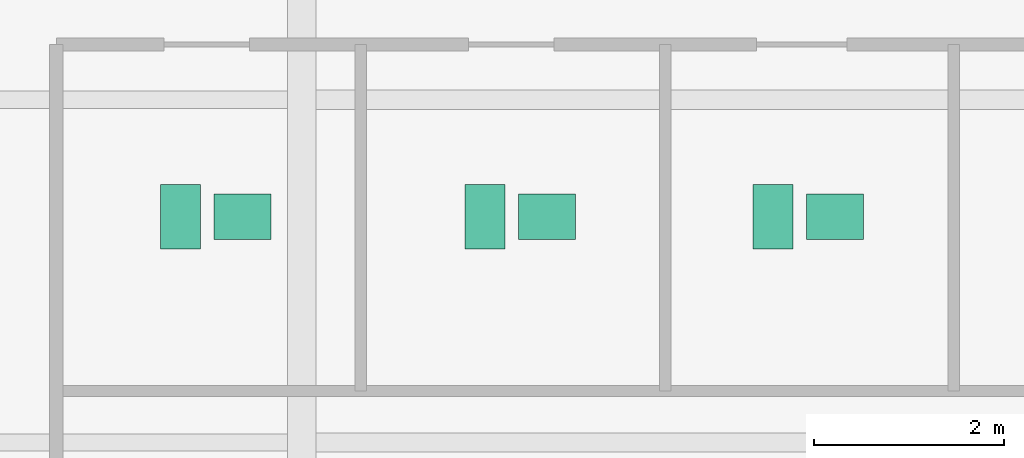
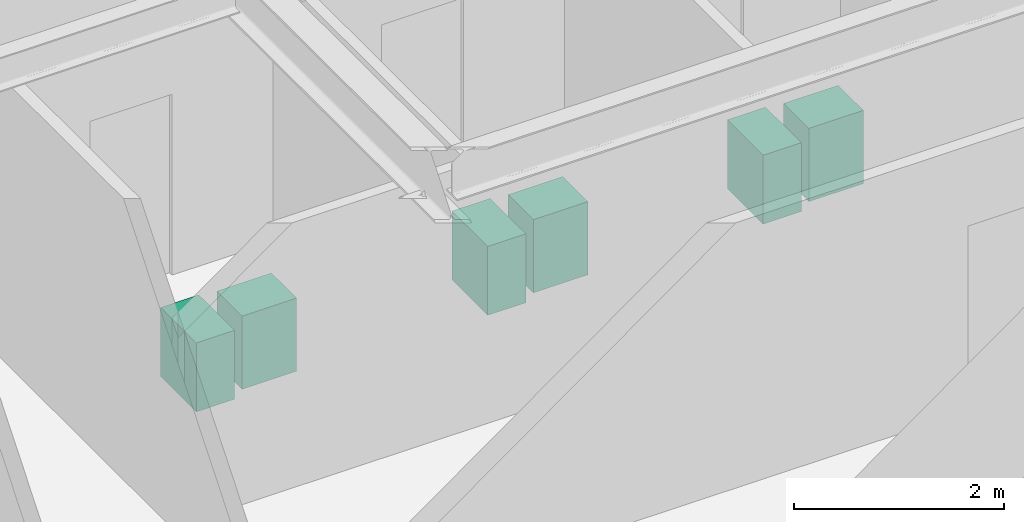
# One storey, part 27 of 27: 6 sanitary terminals.
"""IFC4 building model written with IfcOpenShell, lengths in metres."""

from ifc_helpers import new_model, si_unit, direction, frame, origin, origin_2d, place, context, subcontext, project, spatial, rectangle, extrude, source, transform, mapped, material, type_object, type_shapes, element, save


model = new_model("IFC4")

# Units and contexts
model_context = context("Model", 3, precision=1e-05, world=origin(), true_north=direction((0.0, 1.0)))
body_context = subcontext(model_context, "Body", "Model", "MODEL_VIEW")
ifc_project = project(units=[si_unit("LENGTHUNIT", "METRE"), si_unit("AREAUNIT", "SQUARE_METRE"), si_unit("VOLUMEUNIT", "CUBIC_METRE"), si_unit("PLANEANGLEUNIT", "RADIAN"), si_unit("MASSUNIT", "GRAM", prefix="KILO")], contexts=[model_context])

# Site, building, storey
site_placement = place(None, origin())
site = spatial("IfcSite", under=ifc_project, at=site_placement, CompositionType="ELEMENT")
building_placement = place(site_placement, origin())
building = spatial("IfcBuilding", under=site, at=building_placement, Name="Krantzveldt Concourse Tower", CompositionType="ELEMENT")
storey_placement = place(building_placement, frame((0.0, 0.0, 125.60009765625)))
storey = spatial("IfcBuildingStorey", under=building, at=storey_placement, Name="L30", CompositionType="ELEMENT", Elevation=125.60009765625)

# Sanitary terminals
ifc_material = material(Name="Vitreous china", Category="ceramic")
sanitary_terminal_type_1 = type_object("IfcSanitaryTerminalType", Name="SAN-WC-SUITE", PredefinedType="TOILETPAN", material=ifc_material)
shared_shape_1 = source(origin(), body_context, "Body", "SweptSolid", [
    extrude(rectangle(XDim=0.419921875, YDim=0.679931640625, at=origin_2d()), origin(), (0.0, 0.0, 1.0), 0.800048828125),
])
type_shapes(sanitary_terminal_type_1, [shared_shape_1])
for number, where, z_axis, x_axis, name in (
    (1, (29.324951171875, 32.570068359375, 0.0), (0.0, 0.0, 1.0), (1.0, 0.0, 0.0), "WC-SP-L30-WCM"),
    (2, (32.52490234375, 32.570068359375, 0.0), (0.0, 0.0, 1.0), (1.0, 0.0, 0.0), "WC-SP-L30-WCF"),
    (3, (35.550048828125, 32.570068359375, 0.0), (0.0, 0.0, 1.0), (1.0, 0.0, 0.0), "WC-SP-L30-WCA"),
):
    element("IfcSanitaryTerminal", number, at=place(storey_placement, frame(where, z_axis=z_axis, x_axis=x_axis)), inside=storey, type_object=sanitary_terminal_type_1, Name=name, PredefinedType="TOILETPAN", context=body_context, shape_type="MappedRepresentation", body=[
        mapped(shared_shape_1, transform((0.0, 0.0, 0.0), x_axis=(1.0, 0.0, 0.0), y_axis=(0.0, 1.0, 0.0), z_axis=(0.0, 0.0, 1.0), scale=1.0)),
    ])
sanitary_terminal_type_2 = type_object("IfcSanitaryTerminalType", Name="SAN-BASIN-600", PredefinedType="WASHHANDBASIN", material=ifc_material)
shared_shape_2 = source(origin(), body_context, "Body", "SweptSolid", [
    extrude(rectangle(XDim=0.60009765625, YDim=0.47998046875, at=origin_2d()), origin(), (0.0, 0.0, 1.0), 0.85009765625),
])
type_shapes(sanitary_terminal_type_2, [shared_shape_2])
for number, where, z_axis, x_axis, name in (
    (4, (29.97509765625, 32.570068359375, 0.0048828125), (0.0, 0.0, 1.0), (1.0, 0.0, 0.0), "BSN-SP-L30-WCM"),
    (5, (33.175048828125, 32.570068359375, 0.0048828125), (0.0, 0.0, 1.0), (1.0, 0.0, 0.0), "BSN-SP-L30-WCF"),
    (6, (36.199951171875, 32.570068359375, 0.0048828125), (0.0, 0.0, 1.0), (1.0, 0.0, 0.0), "BSN-SP-L30-WCA"),
):
    element("IfcSanitaryTerminal", number, at=place(storey_placement, frame(where, z_axis=z_axis, x_axis=x_axis)), inside=storey, type_object=sanitary_terminal_type_2, Name=name, PredefinedType="WASHHANDBASIN", context=body_context, shape_type="MappedRepresentation", body=[
        mapped(shared_shape_2, transform((0.0, 0.0, 0.0), x_axis=(1.0, 0.0, 0.0), y_axis=(0.0, 1.0, 0.0), z_axis=(0.0, 0.0, 1.0), scale=1.0)),
    ])

save(model, "model.ifc")
